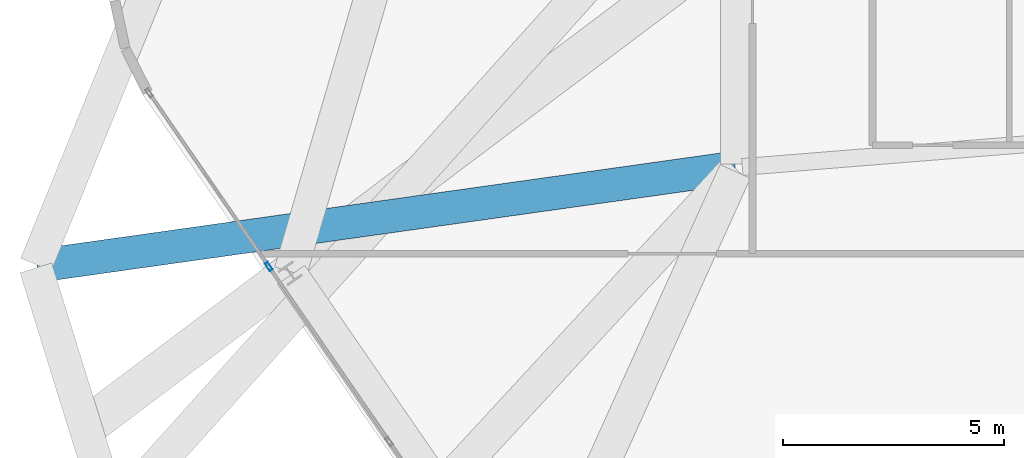
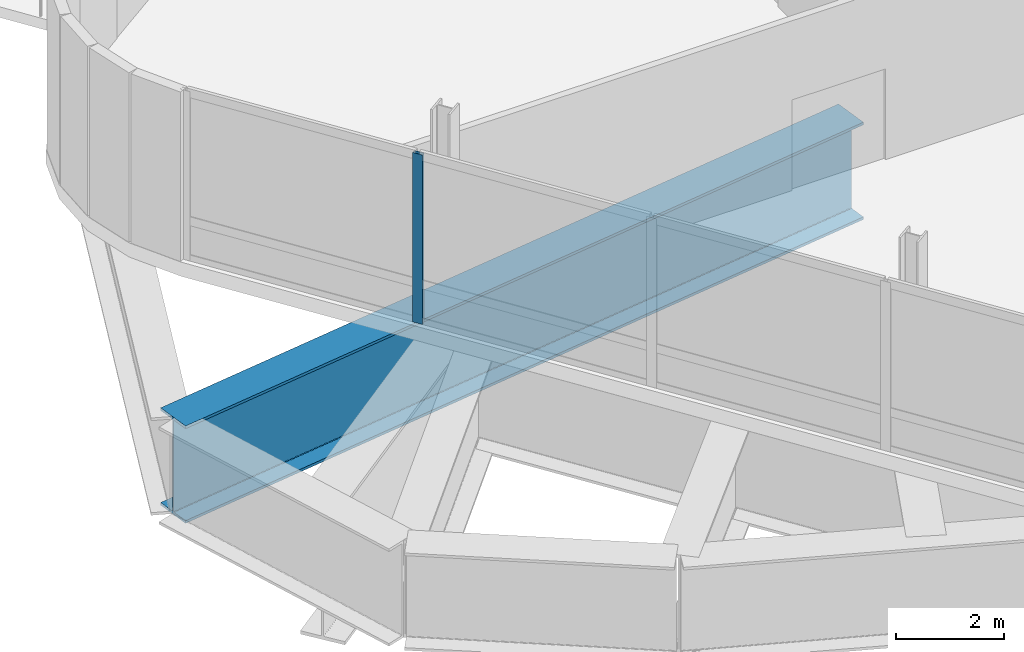
# One storey, part 6 of 18: 1 beam, 1 member, 1 element without a shape of its own.
"""IFC4 building model written with IfcOpenShell, lengths in metres."""

from ifc_helpers import new_model, si_unit, direction, frame, origin, origin_2d, place, context, subcontext, project, spatial, hollow_rectangle, i_section, extrude, material, layer, layer_set, material_profile, profile_set, type_object, element, aggregate, save


model = new_model("IFC4")

# Units and contexts
model_context = context("Model", 3, precision=1e-05, world=origin(), true_north=direction((0.0, 1.0)))
body_context = subcontext(model_context, "Body", "Model", "MODEL_VIEW")
ifc_project = project(units=[si_unit("LENGTHUNIT", "METRE"), si_unit("AREAUNIT", "SQUARE_METRE"), si_unit("VOLUMEUNIT", "CUBIC_METRE"), si_unit("PLANEANGLEUNIT", "RADIAN"), si_unit("MASSUNIT", "GRAM", prefix="KILO")], contexts=[model_context])

# Site, building, storey
site_placement = place(None, origin())
site = spatial("IfcSite", under=ifc_project, at=site_placement, CompositionType="ELEMENT")
building_placement = place(site_placement, origin())
building = spatial("IfcBuilding", under=site, at=building_placement, Name="Varnelok Gate Tower", CompositionType="ELEMENT")
storey_placement = place(building_placement, frame((0.0, 0.0, 296.300048828125)))
storey = spatial("IfcBuildingStorey", under=building, at=storey_placement, Name="L76", CompositionType="ELEMENT", Elevation=296.300048828125)

# Beam
ifc_material_1 = material(Name="Structural Steel ASTM A572 Grade 50", Category="steel")
ifc_material_profile_1 = material_profile(ifc_material_1, i_section(OverallWidth=0.75, OverallDepth=2.199951171875, WebThickness=0.031982421875, FlangeThickness=0.06005859375, FilletRadius=0.028076171875, at=origin_2d()), Name="PG2200X750")
ifc_profile_set_1 = profile_set([ifc_material_profile_1], Name="Structural Steel ASTM A572 Grade 50")
beam_type = type_object("IfcBeamType", Name="BM-TR-PG2200", PredefinedType="BEAM", material=ifc_profile_set_1)
beam_placement = place(storey_placement, frame((24.3603515625, 18.79443359375, -1.420166015625), z_axis=(-0.990243665473, -0.139346628918, 0.0), x_axis=(0.139346628918, -0.990243665473, 0.0)))
element("IfcBeam", 1, at=beam_placement, inside=storey, type_object=beam_type, Name="L76 Radial Transfer Main Girder 14", PredefinedType="BEAM", context=body_context, shape_type="SweptSolid", body=[
    extrude(i_section(OverallWidth=0.75, OverallDepth=2.199951171875, WebThickness=0.031982421875, FlangeThickness=0.06005859375, FilletRadius=0.028076171875, at=origin_2d()), origin(), (0.0, 0.0, 1.0), 15.93310546875),
])

# Curtain wall, member
ifc_material_2 = material(Name="Anodized Aluminum Alloy 6063-T6", Category="aluminium")
ifc_layer = layer(ifc_material_2, 0.179931640625)
ifc_layer_set = layer_set([ifc_layer], Name="Anodized Aluminum Alloy 6063-T6")
curtain_wall_type = type_object("IfcCurtainWallType", Name="CW6-CROWN-LOOKOUT", PredefinedType="USERDEFINED", material=ifc_layer_set)
curtain_wall_placement = place(storey_placement, origin())
curtain_wall = element("IfcCurtainWall", 2, at=curtain_wall_placement, inside=storey, type_object=curtain_wall_type, Name="L76 West End Vision Curtain Wall", ObjectType="STRUCTURAL GLAZING", PredefinedType="USERDEFINED")
ifc_material_profile_2 = material_profile(ifc_material_2, hollow_rectangle(XDim=0.074951171875, YDim=0.199951171875, WallThickness=0.00390625, at=origin_2d()), Name="ALU200X75X4")
ifc_profile_set_2 = profile_set([ifc_material_profile_2], Name="Anodized Aluminum Alloy 6063-T6")
member_type = type_object("IfcMemberType", Name="CW-MULL-200", PredefinedType="MULLION", material=ifc_profile_set_2)
member_placement = place(storey_placement, frame((13.819091796875, 16.559814453125, 0.0), z_axis=(0.0, 0.0, 1.0), x_axis=(-0.823531954141, -0.567269883308, 0.0)))
member = element("IfcMember", 3, at=member_placement, type_object=member_type, Name="CW6 mullion 5", PredefinedType="MULLION", context=body_context, shape_type="SweptSolid", body=[
    extrude(hollow_rectangle(XDim=0.074951171875, YDim=0.199951171875, WallThickness=0.00390625, at=origin_2d()), origin(), (0.0, 0.0, 1.0), 3.829833984375),
])
aggregate(curtain_wall, [member])

save(model, "model.ifc")
